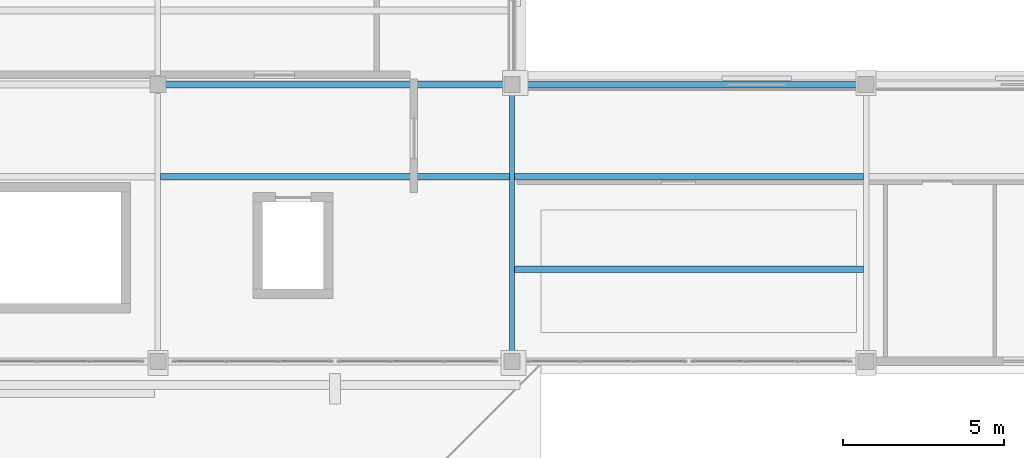
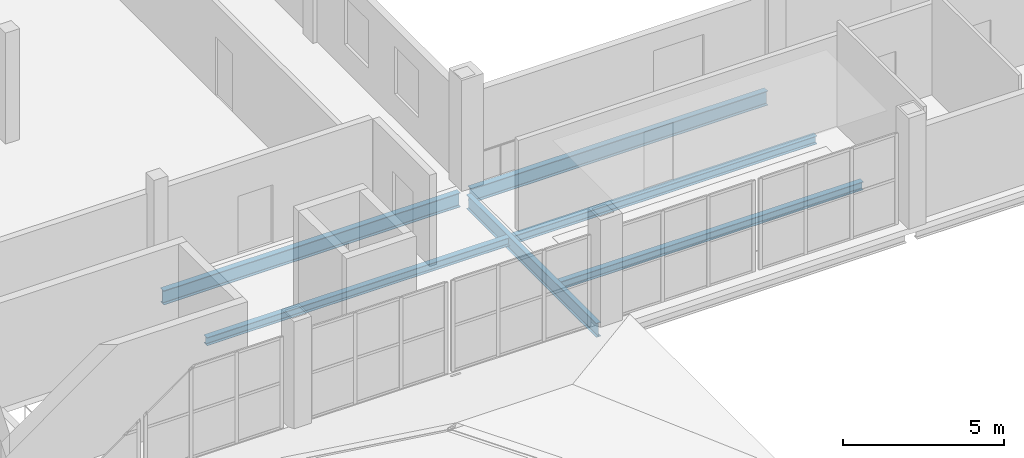
# One storey, part 8 of 26: 6 beams.
"""IFC4 building model written with IfcOpenShell, lengths in metres."""

from ifc_helpers import new_model, si_unit, direction, frame, origin, origin_2d, place, context, subcontext, project, spatial, i_section, extrude, material, material_profile, profile_set, type_object, element, save


model = new_model("IFC4")

# Units and contexts
model_context = context("Model", 3, precision=1e-05, world=origin(), true_north=direction((0.0, 1.0)))
body_context = subcontext(model_context, "Body", "Model", "MODEL_VIEW")
ifc_project = project(units=[si_unit("LENGTHUNIT", "METRE"), si_unit("AREAUNIT", "SQUARE_METRE"), si_unit("VOLUMEUNIT", "CUBIC_METRE"), si_unit("PLANEANGLEUNIT", "RADIAN"), si_unit("MASSUNIT", "GRAM", prefix="KILO")], contexts=[model_context])

# Site, building, storey
site_placement = place(None, origin())
site = spatial("IfcSite", under=ifc_project, at=site_placement, CompositionType="ELEMENT")
building_placement = place(site_placement, origin())
building = spatial("IfcBuilding", under=site, at=building_placement, Name="Caurita Quay Ferry Terminal", CompositionType="ELEMENT")
storey_placement = place(building_placement, frame((0.0, 0.0, 18.300048828125)))
storey = spatial("IfcBuildingStorey", under=building, at=storey_placement, Name="L04", CompositionType="ELEMENT", Elevation=18.300048828125)

# Beams
ifc_material = material(Name="Structural steel ASTM A992 Gr. 50", Category="steel")
ifc_material_profile_1 = material_profile(ifc_material, i_section(OverallWidth=0.210693359375, OverallDepth=0.53857421875, WebThickness=0.01171875, FlangeThickness=0.018798828125, FilletRadius=0.013916015625, at=origin_2d()), Name="W21X73")
ifc_profile_set_1 = profile_set([ifc_material_profile_1], Name="Structural steel ASTM A992 Gr. 50")
beam_type_1 = type_object("IfcBeamType", Name="BM-GR-W21A", PredefinedType="BEAM", material=ifc_profile_set_1)
beam_1_placement = place(storey_placement, frame((11.19140625, 80.199951171875, -0.4892578125), z_axis=(1.0, 0.0, 0.0), x_axis=(0.0, 1.0, 0.0)))
element("IfcBeam", 1, at=beam_1_placement, inside=storey, type_object=beam_type_1, Name="L04 Beam BM-V5-L04-X-112-802", PredefinedType="BEAM", context=body_context, shape_type="SweptSolid", body=[
    extrude(i_section(OverallWidth=0.210693359375, OverallDepth=0.53857421875, WebThickness=0.01171875, FlangeThickness=0.018798828125, FilletRadius=0.013916015625, at=origin_2d()), origin(), (0.0, 0.0, 1.0), 10.6171875),
])
beam_2_placement = place(storey_placement, frame((22.19140625, 80.199951171875, -0.4892578125), z_axis=(1.0, 0.0, 0.0), x_axis=(0.0, 1.0, 0.0)))
element("IfcBeam", 2, at=beam_2_placement, inside=storey, type_object=beam_type_1, Name="L04 Beam BM-V5-L04-X-222-802", PredefinedType="BEAM", context=body_context, shape_type="SweptSolid", body=[
    extrude(i_section(OverallWidth=0.210693359375, OverallDepth=0.53857421875, WebThickness=0.01171875, FlangeThickness=0.018798828125, FilletRadius=0.013916015625, at=origin_2d()), origin(), (0.0, 0.0, 1.0), 10.617431640625),
])
ifc_material_profile_2 = material_profile(ifc_material, i_section(OverallWidth=0.20458984375, OverallDepth=0.307373046875, WebThickness=0.008544921875, FlangeThickness=0.0146484375, FilletRadius=0.0126953125, at=origin_2d()), Name="W12X45")
ifc_profile_set_2 = profile_set([ifc_material_profile_2], Name="Structural steel ASTM A992 Gr. 50")
beam_type_2 = type_object("IfcBeamType", Name="BM-JS-W12B", PredefinedType="JOIST", material=ifc_profile_set_2)
for number, where, z_axis, x_axis, name in (
    (3, (11.083251953125, 77.333251953125, -0.373779296875), (1.0, 0.0, 0.0), (0.0, 1.0, 0.0), "L04 Beam JS-V5-L04-012"),
    (4, (22.083251953125, 74.466796875, -0.373779296875), (1.0, 0.0, 0.0), (0.0, 1.0, 0.0), "L04 Beam JS-V5-L04-023"),
    (5, (22.083251953125, 77.333251953125, -0.373779296875), (1.0, 0.0, 0.0), (0.0, 1.0, 0.0), "L04 Beam JS-V5-L04-024"),
):
    element("IfcBeam", number, at=place(storey_placement, frame(where, z_axis=z_axis, x_axis=x_axis)), inside=storey, type_object=beam_type_2, Name=name, PredefinedType="JOIST", context=body_context, shape_type="SweptSolid", body=[
        extrude(i_section(OverallWidth=0.20458984375, OverallDepth=0.307373046875, WebThickness=0.008544921875, FlangeThickness=0.0146484375, FilletRadius=0.0126953125, at=origin_2d()), origin(), (0.0, 0.0, 1.0), 10.83349609375),
    ])
ifc_material_profile_3 = material_profile(ifc_material, i_section(OverallWidth=0.16650390625, OverallDepth=0.535888671875, WebThickness=0.01025390625, FlangeThickness=0.0166015625, FilletRadius=0.013916015625, at=origin_2d()), Name="W21X57")
ifc_profile_set_3 = profile_set([ifc_material_profile_3], Name="Structural steel ASTM A992 Gr. 50")
beam_type_3 = type_object("IfcBeamType", Name="BM-SP-W21B", PredefinedType="SPANDREL", material=ifc_profile_set_3)
beam_3_placement = place(storey_placement, frame((22.0, 71.876220703125, -0.488037109375), z_axis=(0.0, 1.0, 0.0), x_axis=(-1.0, 0.0, 0.0)))
element("IfcBeam", 6, at=beam_3_placement, inside=storey, type_object=beam_type_3, Name="L04 Beam BM-V5-L04-Y-220-719", PredefinedType="SPANDREL", context=body_context, shape_type="SweptSolid", body=[
    extrude(i_section(OverallWidth=0.16650390625, OverallDepth=0.535888671875, WebThickness=0.01025390625, FlangeThickness=0.0166015625, FilletRadius=0.013916015625, at=origin_2d()), origin(), (0.0, 0.0, 1.0), 8.04736328125),
])

save(model, "model.ifc")
